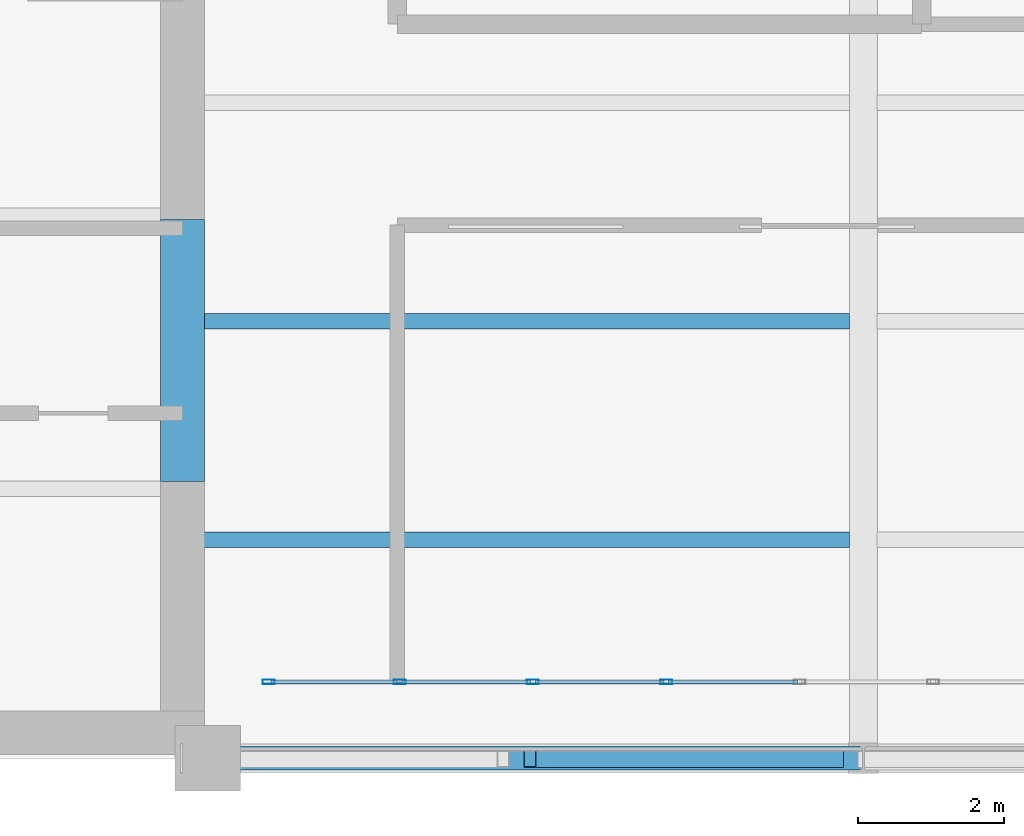
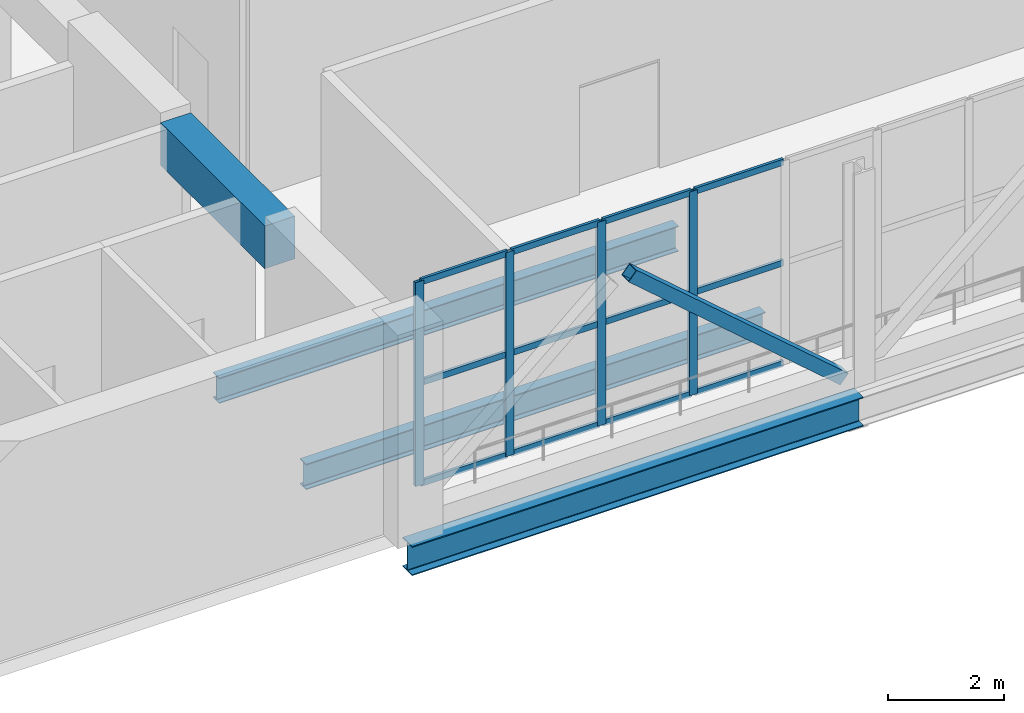
# One storey, part 2 of 26: 17 members, 4 beams, 1 element without a shape of its own.
"""IFC4 building model written with IfcOpenShell, lengths in metres."""

from ifc_helpers import new_model, si_unit, direction, frame, origin, origin_2d, place, context, subcontext, project, spatial, rectangle, hollow_rectangle, i_section, extrude, material, layer, layer_set, material_profile, profile_set, type_object, element, aggregate, save


model = new_model("IFC4")

# Units and contexts
model_context = context("Model", 3, precision=1e-05, world=origin(), true_north=direction((0.0, 1.0)))
body_context = subcontext(model_context, "Body", "Model", "MODEL_VIEW")
ifc_project = project(units=[si_unit("LENGTHUNIT", "METRE"), si_unit("AREAUNIT", "SQUARE_METRE"), si_unit("VOLUMEUNIT", "CUBIC_METRE"), si_unit("PLANEANGLEUNIT", "RADIAN"), si_unit("MASSUNIT", "GRAM", prefix="KILO")], contexts=[model_context])

# Site, building, storey
site_placement = place(None, origin())
site = spatial("IfcSite", under=ifc_project, at=site_placement, CompositionType="ELEMENT")
building_placement = place(site_placement, origin())
building = spatial("IfcBuilding", under=site, at=building_placement, Name="Mawjdan Bourse Tower", CompositionType="ELEMENT")
storey_placement = place(building_placement, frame((0.0, 0.0, 226.800048828125)))
storey = spatial("IfcBuildingStorey", under=building, at=storey_placement, Name="L55", CompositionType="ELEMENT", Elevation=226.800048828125)

# Member
ifc_material_1 = material(Name="Structural Steel S355", Category="steel")
ifc_material_profile_1 = material_profile(ifc_material_1, hollow_rectangle(XDim=0.25, YDim=0.25, WallThickness=0.012451171875, at=origin_2d()), Name="HSS250X250X12.5")
ifc_profile_set_1 = profile_set([ifc_material_profile_1], Name="Structural Steel S355")
member_type_1 = type_object("IfcMemberType", Name="BRC-HSS250X250X12.5", PredefinedType="BRACE", material=ifc_profile_set_1)
member_1_placement = place(storey_placement, frame((28.4208984375, 3.0, 3.849853515625), z_axis=(0.756401786398, 0.0, -0.654107282893), x_axis=(0.0, 1.0, 0.0)))
element("IfcMember", 1, at=member_1_placement, inside=storey, type_object=member_type_1, Name="L55 East Outrigger Truss 1 Diagonal 2", PredefinedType="BRACE", context=body_context, shape_type="SweptSolid", body=[
    extrude(hollow_rectangle(XDim=0.25, YDim=0.25, WallThickness=0.012451171875, at=origin_2d()), origin(), (0.0, 0.0, 1.0), 5.580078125),
])

# Beams
ifc_material_profile_2 = material_profile(ifc_material_1, i_section(OverallWidth=0.2099609375, OverallDepth=0.537109375, WebThickness=0.010986328125, FlangeThickness=0.017333984375, FilletRadius=0.013916015625, at=origin_2d()), Name="W21X68")
ifc_profile_set_2 = profile_set([ifc_material_profile_2], Name="Structural Steel S355")
beam_type_1 = type_object("IfcBeamType", Name="JST-W21X68", PredefinedType="JOIST", material=ifc_profile_set_2)
for number, where, z_axis, x_axis, name in (
    (2, (23.64990234375, 6.0, -0.548583984375), (1.0, 0.0, 0.0), (0.0, 1.0, 0.0), "L55 East Wing Composite Joist 017"),
    (3, (23.64990234375, 9.0, -0.548583984375), (1.0, 0.0, 0.0), (0.0, 1.0, 0.0), "L55 East Wing Composite Joist 022"),
):
    element("IfcBeam", number, at=place(storey_placement, frame(where, z_axis=z_axis, x_axis=x_axis)), inside=storey, type_object=beam_type_1, Name=name, PredefinedType="JOIST", context=body_context, shape_type="SweptSolid", body=[
        extrude(i_section(OverallWidth=0.2099609375, OverallDepth=0.537109375, WebThickness=0.010986328125, FlangeThickness=0.017333984375, FilletRadius=0.013916015625, at=origin_2d()), origin(), (0.0, 0.0, 1.0), 9.16162109375),
    ])
ifc_material_2 = material(Name="Concrete C70/85", Category="concrete")
ifc_material_profile_3 = material_profile(ifc_material_2, rectangle(XDim=0.60009765625, YDim=0.89990234375, at=origin_2d()), Name="RCB600X900")
ifc_profile_set_3 = profile_set([ifc_material_profile_3], Name="Concrete C70/85")
beam_type_2 = type_object("IfcBeamType", Name="LNT-RCB600X900", PredefinedType="LINTEL", material=ifc_profile_set_3)
beam_1_placement = place(storey_placement, frame((23.64990234375, 6.800048828125, 3.849853515625), z_axis=(0.0, 1.0, 0.0), x_axis=(-1.0, 0.0, 0.0)))
element("IfcBeam", 4, at=beam_1_placement, inside=storey, type_object=beam_type_2, Name="L55 Coupled Core Lintel CB-E1", PredefinedType="LINTEL", context=body_context, shape_type="SweptSolid", body=[
    extrude(rectangle(XDim=0.60009765625, YDim=0.89990234375, at=origin_2d()), origin(), (0.0, 0.0, 1.0), 3.599853515625),
])

# Curtain wall, members
ifc_material_3 = material(Name="Thermally Broken Aluminium and Solar Glass", Category="aluminium")
ifc_layer = layer(ifc_material_3, 0.219970703125)
ifc_layer_set = layer_set([ifc_layer], Name="Thermally Broken Aluminium and Solar Glass")
curtain_wall_type = type_object("IfcCurtainWallType", Name="CW-RFG", PredefinedType="USERDEFINED", material=ifc_layer_set)
curtain_wall_placement = place(storey_placement, origin())
curtain_wall = element("IfcCurtainWall", 5, at=curtain_wall_placement, inside=storey, type_object=curtain_wall_type, Name="L55 Refuge Band South Louvre Curtain Wall", ObjectType="REFUGE BAND LOUVRE SCREEN", PredefinedType="USERDEFINED")
ifc_material_4 = material(Name="Thermally Broken Anodised Aluminium", Category="aluminium")
ifc_material_profile_4 = material_profile(ifc_material_4, hollow_rectangle(XDim=0.06494140625, YDim=0.1650390625, WallThickness=0.00390625, at=origin_2d()), Name="ALU-MUL-165X65")
ifc_profile_set_4 = profile_set([ifc_material_profile_4], Name="Thermally Broken Anodised Aluminium")
member_type_2 = type_object("IfcMemberType", Name="MUL-ALU-MUL-165X65", PredefinedType="MULLION", material=ifc_profile_set_4)
member_2_placement = place(storey_placement, frame((24.83251953125, 4.050048828125, 0.0), z_axis=(0.0, 0.0, 1.0), x_axis=(0.0, 1.0, 0.0)))
member_2 = element("IfcMember", 6, at=member_2_placement, type_object=member_type_2, Name="CW-RFG-L55-RFG-S mullion 1", PredefinedType="MULLION", context=body_context, shape_type="SweptSolid", body=[
    extrude(hollow_rectangle(XDim=0.06494140625, YDim=0.1650390625, WallThickness=0.00390625, at=origin_2d()), origin(), (0.0, 0.0, 1.0), 4.300048828125),
])
member_3_placement = place(storey_placement, frame((26.63134765625, 4.050048828125, 0.0), z_axis=(0.0, 0.0, 1.0), x_axis=(0.0, 1.0, 0.0)))
member_3 = element("IfcMember", 7, at=member_3_placement, type_object=member_type_2, Name="CW-RFG-L55-RFG-S mullion 2", PredefinedType="MULLION", context=body_context, shape_type="SweptSolid", body=[
    extrude(hollow_rectangle(XDim=0.06494140625, YDim=0.1650390625, WallThickness=0.00390625, at=origin_2d()), origin(), (0.0, 0.0, 1.0), 4.300048828125),
])
member_4_placement = place(storey_placement, frame((28.46240234375, 4.050048828125, 0.0), z_axis=(0.0, 0.0, 1.0), x_axis=(0.0, 1.0, 0.0)))
member_4 = element("IfcMember", 8, at=member_4_placement, type_object=member_type_2, Name="CW-RFG-L55-RFG-S mullion 3", PredefinedType="MULLION", context=body_context, shape_type="SweptSolid", body=[
    extrude(hollow_rectangle(XDim=0.06494140625, YDim=0.1650390625, WallThickness=0.00390625, at=origin_2d()), origin(), (0.0, 0.0, 1.0), 4.300048828125),
])
member_5_placement = place(storey_placement, frame((30.293701171875, 4.050048828125, 0.0), z_axis=(0.0, 0.0, 1.0), x_axis=(0.0, 1.0, 0.0)))
member_5 = element("IfcMember", 9, at=member_5_placement, type_object=member_type_2, Name="CW-RFG-L55-RFG-S mullion 4", PredefinedType="MULLION", context=body_context, shape_type="SweptSolid", body=[
    extrude(hollow_rectangle(XDim=0.06494140625, YDim=0.1650390625, WallThickness=0.00390625, at=origin_2d()), origin(), (0.0, 0.0, 1.0), 4.300048828125),
])

# Beam
ifc_material_profile_5 = material_profile(ifc_material_1, i_section(OverallWidth=0.324951171875, OverallDepth=0.616943359375, WebThickness=0.013916015625, FlangeThickness=0.021484375, FilletRadius=0.017333984375, at=origin_2d()), Name="W24X117")
ifc_profile_set_5 = profile_set([ifc_material_profile_5], Name="Structural Steel S355")
beam_type_3 = type_object("IfcBeamType", Name="SPN-W24X117", PredefinedType="SPANDREL", material=ifc_profile_set_5)
beam_2_placement = place(storey_placement, frame((24.0, 3.0, -0.588623046875), z_axis=(1.0, 0.0, 0.0), x_axis=(0.0, 1.0, 0.0)))
element("IfcBeam", 10, at=beam_2_placement, inside=storey, type_object=beam_type_3, Name="L55 Perimeter Masonry-Shelf Spandrel 007", PredefinedType="SPANDREL", context=body_context, shape_type="SweptSolid", body=[
    extrude(i_section(OverallWidth=0.324951171875, OverallDepth=0.616943359375, WebThickness=0.013916015625, FlangeThickness=0.021484375, FilletRadius=0.017333984375, at=origin_2d()), origin(), (0.0, 0.0, 1.0), 9.0),
])

# Member
ifc_material_profile_6 = material_profile(ifc_material_4, hollow_rectangle(XDim=0.054931640625, YDim=0.1298828125, WallThickness=0.00341796875, at=origin_2d()), Name="ALU-TRN-130X55")
ifc_profile_set_6 = profile_set([ifc_material_profile_6], Name="Thermally Broken Anodised Aluminium")
member_type_3 = type_object("IfcMemberType", Name="TRN-ALU-TRN-130X55", PredefinedType="USERDEFINED", material=ifc_profile_set_6)
member_6_placement = place(storey_placement, frame((24.864990234375, 4.050048828125, 0.02734375), z_axis=(1.0, 0.0, 0.0), x_axis=(0.0, 1.0, 0.0)))
member_6 = element("IfcMember", 11, at=member_6_placement, type_object=member_type_3, Name="CW-RFG-L55-RFG-S transom 1.1", ObjectType="TRANSOM", PredefinedType="USERDEFINED", context=body_context, shape_type="SweptSolid", body=[
    extrude(hollow_rectangle(XDim=0.054931640625, YDim=0.1298828125, WallThickness=0.00341796875, at=origin_2d()), origin(), (0.0, 0.0, 1.0), 1.733642578125),
])

member_7_placement = place(storey_placement, frame((24.864990234375, 4.050048828125, 2.14990234375), z_axis=(1.0, 0.0, 0.0), x_axis=(0.0, 1.0, 0.0)))
member_7 = element("IfcMember", 12, at=member_7_placement, type_object=member_type_3, Name="CW-RFG-L55-RFG-S transom 1.2", ObjectType="TRANSOM", PredefinedType="USERDEFINED", context=body_context, shape_type="SweptSolid", body=[
    extrude(hollow_rectangle(XDim=0.054931640625, YDim=0.1298828125, WallThickness=0.00341796875, at=origin_2d()), origin(), (0.0, 0.0, 1.0), 1.733642578125),
])

member_8_placement = place(storey_placement, frame((24.864990234375, 4.050048828125, 4.2724609375), z_axis=(1.0, 0.0, 0.0), x_axis=(0.0, 1.0, 0.0)))
member_8 = element("IfcMember", 13, at=member_8_placement, type_object=member_type_3, Name="CW-RFG-L55-RFG-S transom 1.3", ObjectType="TRANSOM", PredefinedType="USERDEFINED", context=body_context, shape_type="SweptSolid", body=[
    extrude(hollow_rectangle(XDim=0.054931640625, YDim=0.1298828125, WallThickness=0.00341796875, at=origin_2d()), origin(), (0.0, 0.0, 1.0), 1.733642578125),
])

member_9_placement = place(storey_placement, frame((26.663818359375, 4.050048828125, 0.02734375), z_axis=(1.0, 0.0, 0.0), x_axis=(0.0, 1.0, 0.0)))
member_9 = element("IfcMember", 14, at=member_9_placement, type_object=member_type_3, Name="CW-RFG-L55-RFG-S transom 2.1", ObjectType="TRANSOM", PredefinedType="USERDEFINED", context=body_context, shape_type="SweptSolid", body=[
    extrude(hollow_rectangle(XDim=0.054931640625, YDim=0.1298828125, WallThickness=0.00341796875, at=origin_2d()), origin(), (0.0, 0.0, 1.0), 1.76611328125),
])

member_10_placement = place(storey_placement, frame((26.663818359375, 4.050048828125, 2.14990234375), z_axis=(1.0, 0.0, 0.0), x_axis=(0.0, 1.0, 0.0)))
member_10 = element("IfcMember", 15, at=member_10_placement, type_object=member_type_3, Name="CW-RFG-L55-RFG-S transom 2.2", ObjectType="TRANSOM", PredefinedType="USERDEFINED", context=body_context, shape_type="SweptSolid", body=[
    extrude(hollow_rectangle(XDim=0.054931640625, YDim=0.1298828125, WallThickness=0.00341796875, at=origin_2d()), origin(), (0.0, 0.0, 1.0), 1.76611328125),
])

member_11_placement = place(storey_placement, frame((26.663818359375, 4.050048828125, 4.2724609375), z_axis=(1.0, 0.0, 0.0), x_axis=(0.0, 1.0, 0.0)))
member_11 = element("IfcMember", 16, at=member_11_placement, type_object=member_type_3, Name="CW-RFG-L55-RFG-S transom 2.3", ObjectType="TRANSOM", PredefinedType="USERDEFINED", context=body_context, shape_type="SweptSolid", body=[
    extrude(hollow_rectangle(XDim=0.054931640625, YDim=0.1298828125, WallThickness=0.00341796875, at=origin_2d()), origin(), (0.0, 0.0, 1.0), 1.76611328125),
])

member_12_placement = place(storey_placement, frame((28.4951171875, 4.050048828125, 0.02734375), z_axis=(1.0, 0.0, 0.0), x_axis=(0.0, 1.0, 0.0)))
member_12 = element("IfcMember", 17, at=member_12_placement, type_object=member_type_3, Name="CW-RFG-L55-RFG-S transom 3.1", ObjectType="TRANSOM", PredefinedType="USERDEFINED", context=body_context, shape_type="SweptSolid", body=[
    extrude(hollow_rectangle(XDim=0.054931640625, YDim=0.1298828125, WallThickness=0.00341796875, at=origin_2d()), origin(), (0.0, 0.0, 1.0), 1.76611328125),
])

member_13_placement = place(storey_placement, frame((28.4951171875, 4.050048828125, 2.14990234375), z_axis=(1.0, 0.0, 0.0), x_axis=(0.0, 1.0, 0.0)))
member_13 = element("IfcMember", 18, at=member_13_placement, type_object=member_type_3, Name="CW-RFG-L55-RFG-S transom 3.2", ObjectType="TRANSOM", PredefinedType="USERDEFINED", context=body_context, shape_type="SweptSolid", body=[
    extrude(hollow_rectangle(XDim=0.054931640625, YDim=0.1298828125, WallThickness=0.00341796875, at=origin_2d()), origin(), (0.0, 0.0, 1.0), 1.76611328125),
])

member_14_placement = place(storey_placement, frame((28.4951171875, 4.050048828125, 4.2724609375), z_axis=(1.0, 0.0, 0.0), x_axis=(0.0, 1.0, 0.0)))
member_14 = element("IfcMember", 19, at=member_14_placement, type_object=member_type_3, Name="CW-RFG-L55-RFG-S transom 3.3", ObjectType="TRANSOM", PredefinedType="USERDEFINED", context=body_context, shape_type="SweptSolid", body=[
    extrude(hollow_rectangle(XDim=0.054931640625, YDim=0.1298828125, WallThickness=0.00341796875, at=origin_2d()), origin(), (0.0, 0.0, 1.0), 1.76611328125),
])

member_15_placement = place(storey_placement, frame((30.326171875, 4.050048828125, 0.02734375), z_axis=(1.0, 0.0, 0.0), x_axis=(0.0, 1.0, 0.0)))
member_15 = element("IfcMember", 20, at=member_15_placement, type_object=member_type_3, Name="CW-RFG-L55-RFG-S transom 4.1", ObjectType="TRANSOM", PredefinedType="USERDEFINED", context=body_context, shape_type="SweptSolid", body=[
    extrude(hollow_rectangle(XDim=0.054931640625, YDim=0.1298828125, WallThickness=0.00341796875, at=origin_2d()), origin(), (0.0, 0.0, 1.0), 1.766357421875),
])

member_16_placement = place(storey_placement, frame((30.326171875, 4.050048828125, 2.14990234375), z_axis=(1.0, 0.0, 0.0), x_axis=(0.0, 1.0, 0.0)))
member_16 = element("IfcMember", 21, at=member_16_placement, type_object=member_type_3, Name="CW-RFG-L55-RFG-S transom 4.2", ObjectType="TRANSOM", PredefinedType="USERDEFINED", context=body_context, shape_type="SweptSolid", body=[
    extrude(hollow_rectangle(XDim=0.054931640625, YDim=0.1298828125, WallThickness=0.00341796875, at=origin_2d()), origin(), (0.0, 0.0, 1.0), 1.766357421875),
])

member_17_placement = place(storey_placement, frame((30.326171875, 4.050048828125, 4.2724609375), z_axis=(1.0, 0.0, 0.0), x_axis=(0.0, 1.0, 0.0)))
member_17 = element("IfcMember", 22, at=member_17_placement, type_object=member_type_3, Name="CW-RFG-L55-RFG-S transom 4.3", ObjectType="TRANSOM", PredefinedType="USERDEFINED", context=body_context, shape_type="SweptSolid", body=[
    extrude(hollow_rectangle(XDim=0.054931640625, YDim=0.1298828125, WallThickness=0.00341796875, at=origin_2d()), origin(), (0.0, 0.0, 1.0), 1.766357421875),
])

aggregate(curtain_wall, [member_2, member_3, member_4, member_5, member_6, member_7, member_8, member_9, member_10, member_11, member_12, member_13, member_14, member_15, member_16, member_17])

save(model, "model.ifc")
